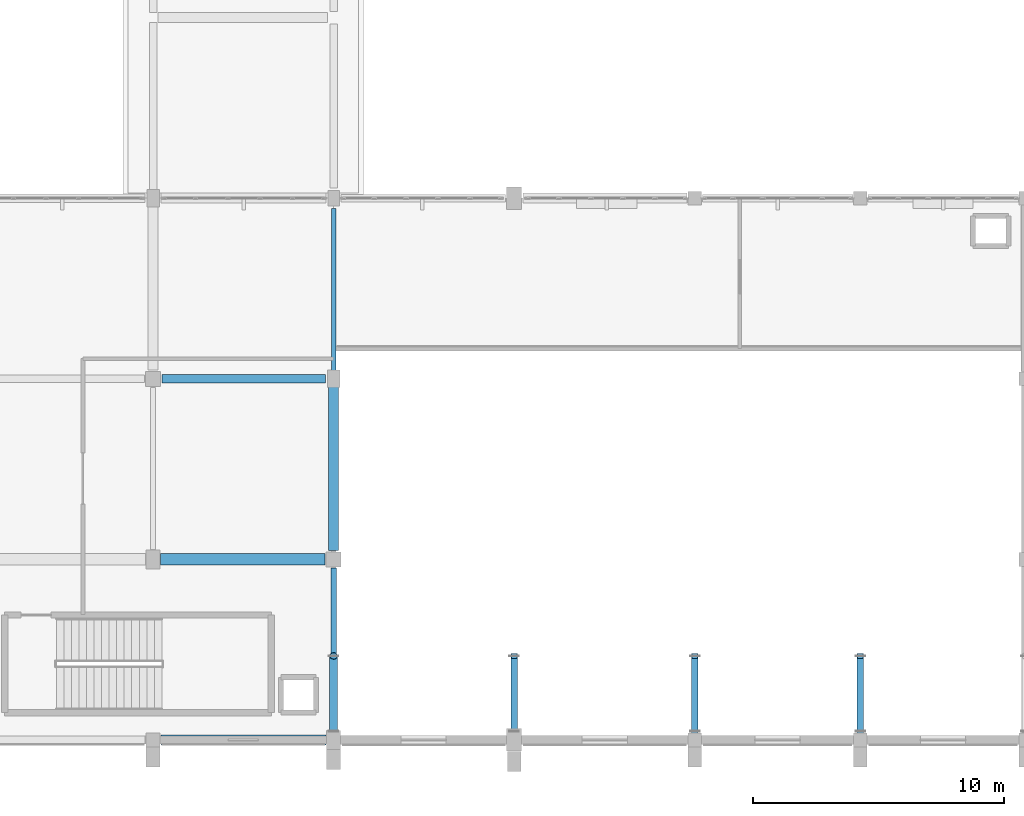
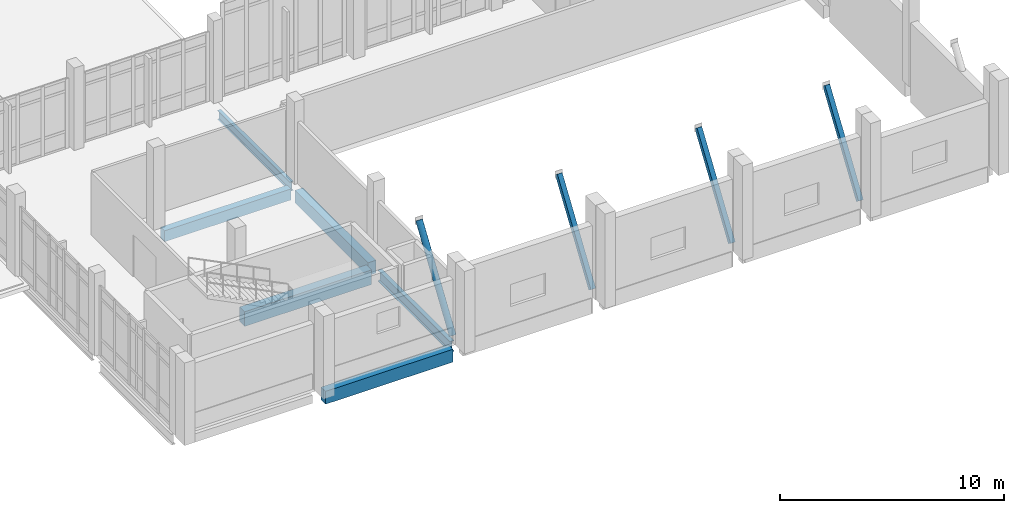
# One storey, part 40 of 134: 6 beams, 4 members.
"""IFC4 building model written with IfcOpenShell, lengths in metres."""

from ifc_helpers import new_model, si_unit, direction, frame, origin, origin_2d, place, context, subcontext, project, spatial, rectangle, hollow_rectangle, hollow_circle, i_section, extrude, material, material_profile, profile_set, type_object, element, save


model = new_model("IFC4")

# Units and contexts
model_context = context("Model", 3, precision=1e-05, world=origin(), true_north=direction((0.0, 1.0)))
body_context = subcontext(model_context, "Body", "Model", "MODEL_VIEW")
ifc_project = project(units=[si_unit("LENGTHUNIT", "METRE"), si_unit("AREAUNIT", "SQUARE_METRE"), si_unit("VOLUMEUNIT", "CUBIC_METRE"), si_unit("PLANEANGLEUNIT", "RADIAN"), si_unit("MASSUNIT", "GRAM", prefix="KILO")], contexts=[model_context])

# Site, building, storey
site_placement = place(None, origin())
site = spatial("IfcSite", under=ifc_project, at=site_placement, CompositionType="ELEMENT")
building_placement = place(site_placement, origin())
building = spatial("IfcBuilding", under=site, at=building_placement, Name="Kalluvel Institute of Natural Sciences", CompositionType="ELEMENT")
storey_placement = place(building_placement, frame((0.0, 0.0, 5.39990234375)))
storey = spatial("IfcBuildingStorey", under=building, at=storey_placement, Name="L01", CompositionType="ELEMENT", Elevation=5.39990234375)

# Beams
ifc_material_1 = material(Name="Steel E350 Grade 350", Category="steel")
ifc_material_profile_1 = material_profile(ifc_material_1, i_section(OverallWidth=0.179931640625, OverallDepth=0.5, WebThickness=0.01025390625, FlangeThickness=0.01708984375, FilletRadius=0.01708984375, at=origin_2d()), Name="ISMB 500")
ifc_profile_set_1 = profile_set([ifc_material_profile_1], Name="Steel E350 Grade 350")
beam_type_1 = type_object("IfcBeamType", Name="BM-ISMB500", PredefinedType="BEAM", material=ifc_profile_set_1)
beam_1_placement = place(storey_placement, frame((114.800048828125, 28.72509765625, -0.58984375), z_axis=(0.0, 1.0, 0.0), x_axis=(-1.0, 0.0, 0.0)))
element("IfcBeam", 1, at=beam_1_placement, inside=storey, type_object=beam_type_1, Name="L01 girder GIR-L01-NS-X1148-Y284", PredefinedType="BEAM", context=body_context, shape_type="SweptSolid", body=[
    extrude(i_section(OverallWidth=0.179931640625, OverallDepth=0.5, WebThickness=0.01025390625, FlangeThickness=0.01708984375, FilletRadius=0.01708984375, at=origin_2d()), origin(), (0.0, 0.0, 1.0), 6.474853515625),
])
ifc_material_profile_2 = material_profile(ifc_material_1, i_section(OverallWidth=0.2099609375, OverallDepth=0.60009765625, WebThickness=0.011962890625, FlangeThickness=0.020751953125, FilletRadius=0.02001953125, at=origin_2d()), Name="ISMB 600")
ifc_profile_set_2 = profile_set([ifc_material_profile_2], Name="Steel E350 Grade 350")
beam_type_2 = type_object("IfcBeamType", Name="BM-ISMB600", PredefinedType="BEAM", material=ifc_profile_set_2)
beam_2_placement = place(storey_placement, frame((114.800048828125, 14.39990234375, -0.639892578125), z_axis=(0.0, 1.0, 0.0), x_axis=(-1.0, 0.0, 0.0)))
element("IfcBeam", 2, at=beam_2_placement, inside=storey, type_object=beam_type_2, Name="L01 girder GIR-L01-NS-X1148-Y140", PredefinedType="BEAM", context=body_context, shape_type="SweptSolid", body=[
    extrude(i_section(OverallWidth=0.2099609375, OverallDepth=0.60009765625, WebThickness=0.011962890625, FlangeThickness=0.020751953125, FilletRadius=0.02001953125, at=origin_2d()), origin(), (0.0, 0.0, 1.0), 6.4501953125),
])
ifc_material_2 = material(Name="Concrete M40", Category="concrete")
ifc_material_profile_3 = material_profile(ifc_material_2, rectangle(XDim=0.39990234375, YDim=0.699951171875, at=origin_2d()), Name="RCB 400x700")
ifc_profile_set_3 = profile_set([ifc_material_profile_3], Name="Concrete M40")
beam_type_3 = type_object("IfcBeamType", Name="BM-RC400x700", PredefinedType="BEAM", material=ifc_profile_set_3)
beam_3_placement = place(storey_placement, frame((114.800048828125, 21.550048828125, -0.68994140625), z_axis=(0.0, 1.0, 0.0), x_axis=(-1.0, 0.0, 0.0)))
element("IfcBeam", 3, at=beam_3_placement, inside=storey, type_object=beam_type_3, Name="L01 girder GIR-L01-NS-X1148-Y212", PredefinedType="BEAM", context=body_context, shape_type="SweptSolid", body=[
    extrude(rectangle(XDim=0.39990234375, YDim=0.699951171875, at=origin_2d()), origin(), (0.0, 0.0, 1.0), 6.52490234375),
])
ifc_material_profile_4 = material_profile(ifc_material_2, rectangle(XDim=0.449951171875, YDim=0.800048828125, at=origin_2d()), Name="RCB 450x800")
ifc_profile_set_4 = profile_set([ifc_material_profile_4], Name="Concrete M40")
beam_type_4 = type_object("IfcBeamType", Name="BM-RC450x800", PredefinedType="BEAM", material=ifc_profile_set_4)
beam_4_placement = place(storey_placement, frame((107.89990234375, 21.199951171875, -0.719970703125), z_axis=(1.0, 0.0, 0.0), x_axis=(0.0, 1.0, 0.0)))
element("IfcBeam", 4, at=beam_4_placement, inside=storey, type_object=beam_type_4, Name="L01 girder GIR-L01-EW-X1076-Y212", PredefinedType="BEAM", context=body_context, shape_type="SweptSolid", body=[
    extrude(rectangle(XDim=0.449951171875, YDim=0.800048828125, at=origin_2d()), origin(), (0.0, 0.0, 1.0), 6.550048828125),
])

# Members
ifc_material_profile_5 = material_profile(ifc_material_1, hollow_rectangle(XDim=0.25, YDim=0.25, WallThickness=0.012451171875, at=origin_2d()), Name="SHS 250x250x12")
ifc_profile_set_5 = profile_set([ifc_material_profile_5], Name="Steel E350 Grade 350")
member_type_1 = type_object("IfcMemberType", Name="MB-BR-SHS250", PredefinedType="BRACE", material=ifc_profile_set_5)
for number, where, z_axis, x_axis, name in (
    (5, (122.0, 14.35009765625, 0.0), (0.0, 0.556412730775, 0.830906055479), (-1.0, 0.0, 0.0), "Lecture theatre folded-plate portal knee strut 2"),
    (6, (129.199951171875, 14.35009765625, 0.0), (0.0, 0.556412730775, 0.830906055479), (-1.0, 0.0, 0.0), "Lecture theatre folded-plate portal knee strut 3"),
    (7, (135.800048828125, 14.35009765625, 0.0), (0.0, 0.556412730775, 0.830906055479), (-1.0, 0.0, 0.0), "Lecture theatre folded-plate portal knee strut 4"),
):
    element("IfcMember", number, at=place(storey_placement, frame(where, z_axis=z_axis, x_axis=x_axis)), inside=storey, type_object=member_type_1, Name=name, PredefinedType="BRACE", context=body_context, shape_type="SweptSolid", body=[
        extrude(hollow_rectangle(XDim=0.25, YDim=0.25, WallThickness=0.012451171875, at=origin_2d()), origin(), (0.0, 0.0, 1.0), 5.3916015625),
    ])
ifc_material_profile_6 = material_profile(ifc_material_1, hollow_circle(Radius=0.161865234375, WallThickness=0.01611328125, at=origin_2d()), Name="CHS 323.9x16.0")
ifc_profile_set_6 = profile_set([ifc_material_profile_6], Name="Steel E350 Grade 350")
member_type_2 = type_object("IfcMemberType", Name="MB-ST-CHS323", PredefinedType="STRUT", material=ifc_profile_set_6)
member_placement = place(storey_placement, frame((114.800048828125, 14.35009765625, 0.0), z_axis=(0.0, 0.556412730775, 0.830906055479), x_axis=(-1.0, 0.0, 0.0)))
element("IfcMember", 8, at=member_placement, inside=storey, type_object=member_type_2, Name="Lecture theatre folded-plate portal knee strut 1", PredefinedType="STRUT", context=body_context, shape_type="SweptSolid", body=[
    extrude(hollow_circle(Radius=0.161865234375, WallThickness=0.01611328125, at=origin_2d()), origin(), (0.0, 0.0, 1.0), 5.3916015625),
])

# Beams
ifc_material_profile_7 = material_profile(ifc_material_2, rectangle(XDim=0.35009765625, YDim=0.60009765625, at=origin_2d()), Name="RCB 350x600")
ifc_profile_set_7 = profile_set([ifc_material_profile_7], Name="Concrete M40")
beam_type_5 = type_object("IfcBeamType", Name="SP-RC350x600", PredefinedType="SPANDREL", material=ifc_profile_set_7)
beam_5_placement = place(storey_placement, frame((107.949951171875, 28.39990234375, -0.619873046875), z_axis=(1.0, 0.0, 0.0), x_axis=(0.0, 1.0, 0.0)))
element("IfcBeam", 9, at=beam_5_placement, inside=storey, type_object=beam_type_5, Name="L01 girder GIR-L01-EW-X1076-Y284", PredefinedType="SPANDREL", context=body_context, shape_type="SweptSolid", body=[
    extrude(rectangle(XDim=0.35009765625, YDim=0.60009765625, at=origin_2d()), origin(), (0.0, 0.0, 1.0), 6.525146484375),
])
ifc_material_profile_8 = material_profile(ifc_material_2, rectangle(XDim=0.39990234375, YDim=0.699951171875, at=origin_2d()), Name="RCB 400x700")
ifc_profile_set_8 = profile_set([ifc_material_profile_8], Name="Concrete M40")
beam_type_6 = type_object("IfcBeamType", Name="SP-RC400x700", PredefinedType="SPANDREL", material=ifc_profile_set_8)
beam_6_placement = place(storey_placement, frame((107.925048828125, 14.0, -0.669921875), z_axis=(1.0, 0.0, 0.0), x_axis=(0.0, 1.0, 0.0)))
element("IfcBeam", 10, at=beam_6_placement, inside=storey, type_object=beam_type_6, Name="L01 girder GIR-L01-EW-X1076-Y140", PredefinedType="SPANDREL", context=body_context, shape_type="SweptSolid", body=[
    extrude(rectangle(XDim=0.39990234375, YDim=0.699951171875, at=origin_2d()), origin(), (0.0, 0.0, 1.0), 6.574951171875),
])

save(model, "model.ifc")
